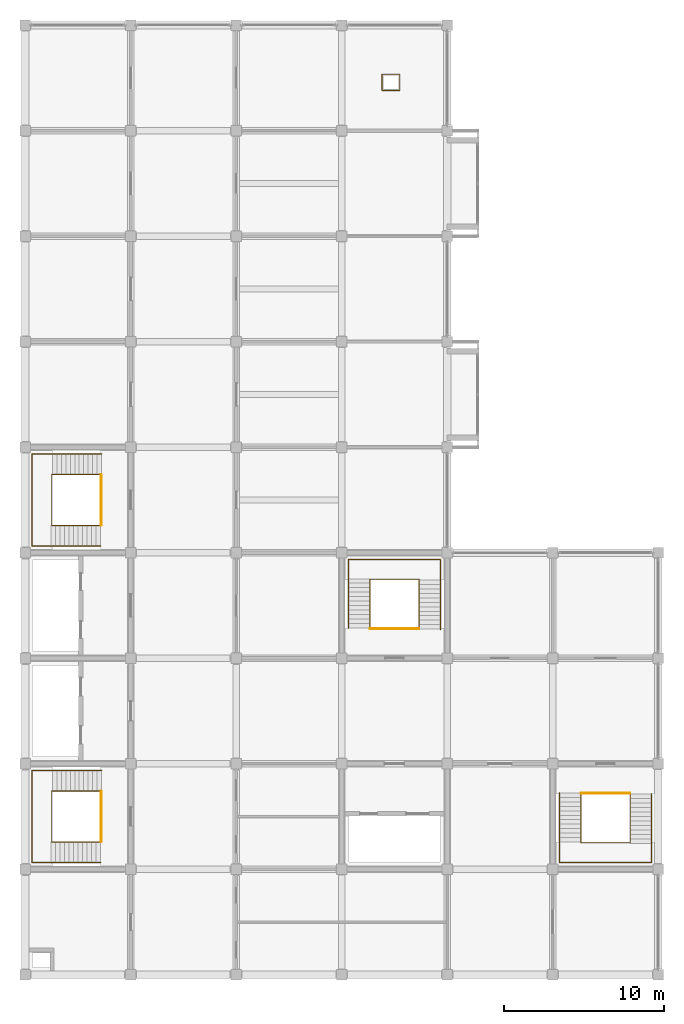
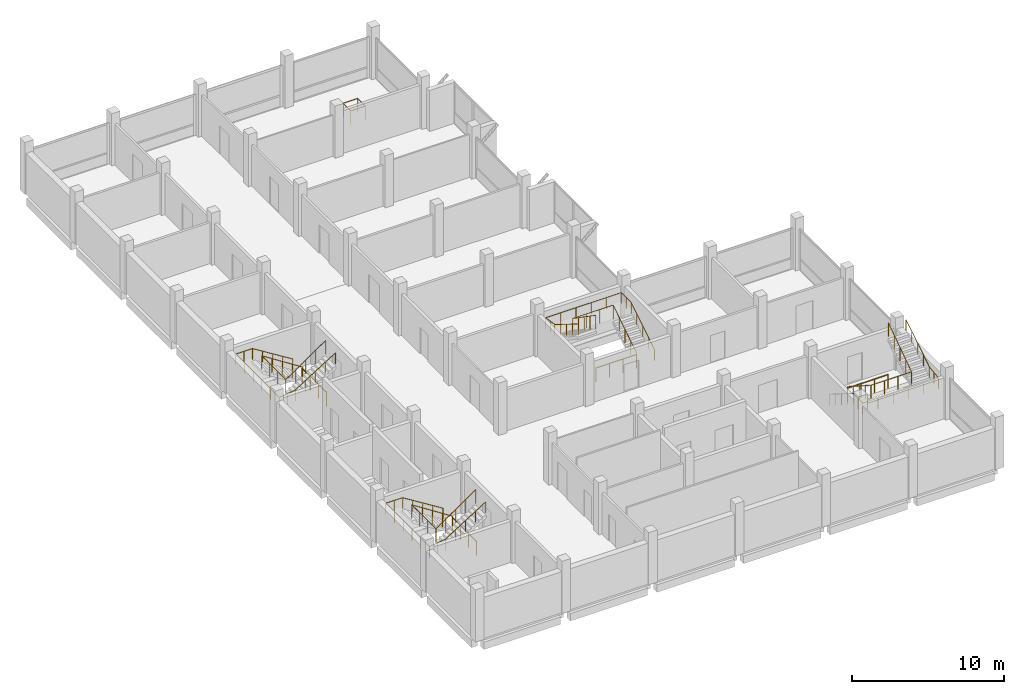
# One storey, part 10 of 10: 13 railings.
"""IFC4 building model written with IfcOpenShell, lengths in metres."""

from ifc_helpers import new_model, si_unit, direction, frame, origin, origin_2d, place, context, subcontext, project, spatial, circle, extrude, material, type_object, element, save


model = new_model("IFC4")

# Units and contexts
model_context = context("Model", 3, precision=1e-05, world=origin(), true_north=direction((0.0, 1.0)))
body_context = subcontext(model_context, "Body", "Model", "MODEL_VIEW")
ifc_project = project(units=[si_unit("LENGTHUNIT", "METRE"), si_unit("AREAUNIT", "SQUARE_METRE"), si_unit("VOLUMEUNIT", "CUBIC_METRE"), si_unit("PLANEANGLEUNIT", "RADIAN"), si_unit("MASSUNIT", "GRAM", prefix="KILO")], contexts=[model_context])

# Site, building, storey
site_placement = place(None, origin())
site = spatial("IfcSite", under=ifc_project, at=site_placement, CompositionType="ELEMENT")
building_placement = place(site_placement, origin())
building = spatial("IfcBuilding", under=site, at=building_placement, Name="Rusizi Kubbe Research Institute", CompositionType="ELEMENT")
storey_placement = place(building_placement, frame((0.0, 0.0, 52.199951171875)))
storey = spatial("IfcBuildingStorey", under=building, at=storey_placement, Name="L12", CompositionType="ELEMENT", Elevation=52.199951171875)

# Railings
ifc_material_1 = material(Name="Painted Steel Stair Guard", Category="steel")
railing_type_1 = type_object("IfcRailingType", Name="GR-STAIR", PredefinedType="GUARDRAIL", material=ifc_material_1)
railing_1_placement = place(storey_placement, frame((4.780029296875, 11.489990234375, 0.087646484375)))
element("IfcRailing", 1, at=railing_1_placement, inside=storey, type_object=railing_type_1, Name="Stair Inner Well Guard ST1 L12", PredefinedType="GUARDRAIL", context=body_context, shape_type="SweptSolid", body=[
    extrude(circle(Radius=0.02392578125, at=origin_2d()), frame((0.0, 0.0, 1.09619140625), z_axis=(-0.840361383606, 0.0, 0.542026516828), x_axis=(0.0, -1.0, 0.0)), (0.0, 0.0, 1.0), 3.712890625),
    extrude(circle(Radius=0.02392578125, at=origin_2d()), frame((-3.1201171875, 0.0, 3.1083984375), z_axis=(0.0, -1.0, 0.0), x_axis=(1.0, 0.0, 0.0)), (0.0, 0.0, 1.0), 3.179931640625),
    extrude(circle(Radius=0.02392578125, at=origin_2d()), frame((-3.1201171875, -3.179931640625, 3.1083984375), z_axis=(0.822798317177, 0.0, 0.568333466595), x_axis=(0.0, 1.0, 0.0)), (0.0, 0.0, 1.0), 3.69482421875),
    extrude(circle(Radius=0.02099609375, at=origin_2d()), origin(), (0.0, 0.0, 1.0), 1.072021484375),
    extrude(circle(Radius=0.02099609375, at=origin_2d()), frame((-0.780029296875, 0.0, 0.503173828125)), (0.0, 0.0, 1.0), 1.072021484375),
    extrude(circle(Radius=0.02099609375, at=origin_2d()), frame((-1.56005859375, 0.0, 1.00634765625)), (0.0, 0.0, 1.0), 1.072021484375),
    extrude(circle(Radius=0.02099609375, at=origin_2d()), frame((-2.340087890625, 0.0, 1.50927734375)), (0.0, 0.0, 1.0), 1.072021484375),
    extrude(circle(Radius=0.02099609375, at=origin_2d()), frame((-3.1201171875, 0.0, 2.012451171875)), (0.0, 0.0, 1.0), 1.072021484375),
    extrude(circle(Radius=0.02099609375, at=origin_2d()), frame((-3.1201171875, -1.06005859375, 2.012451171875)), (0.0, 0.0, 1.0), 1.072021484375),
    extrude(circle(Radius=0.02099609375, at=origin_2d()), frame((-3.1201171875, -2.119873046875, 2.012451171875)), (0.0, 0.0, 1.0), 1.072021484375),
    extrude(circle(Radius=0.02099609375, at=origin_2d()), frame((-3.1201171875, -3.179931640625, 2.012451171875)), (0.0, 0.0, 1.0), 1.072021484375),
    extrude(circle(Radius=0.02099609375, at=origin_2d()), frame((-2.360107421875, -3.179931640625, 2.537353515625)), (0.0, 0.0, 1.0), 1.072021484375),
    extrude(circle(Radius=0.02099609375, at=origin_2d()), frame((-1.60009765625, -3.179931640625, 3.0625)), (0.0, 0.0, 1.0), 1.072021484375),
    extrude(circle(Radius=0.02099609375, at=origin_2d()), frame((-0.840087890625, -3.179931640625, 3.58740234375)), (0.0, 0.0, 1.0), 1.072021484375),
    extrude(circle(Radius=0.02099609375, at=origin_2d()), frame((-0.080078125, -3.179931640625, 4.1123046875)), (0.0, 0.0, 1.0), 1.072021484375),
])
railing_2_placement = place(storey_placement, frame((4.75, 11.489990234375, 0.0)))
element("IfcRailing", 2, at=railing_2_placement, inside=storey, type_object=railing_type_1, Name="Stair Floor Edge Guard ST1 L12", PredefinedType="GUARDRAIL", context=body_context, shape_type="SweptSolid", body=[
    extrude(circle(Radius=0.02392578125, at=origin_2d()), frame((0.0, 0.0, 1.09619140625), z_axis=(0.0, -1.0, 0.0), x_axis=(1.0, 0.0, 0.0)), (0.0, 0.0, 1.0), 3.179931640625),
    extrude(circle(Radius=0.02099609375, at=origin_2d()), origin(), (0.0, 0.0, 1.0), 1.072021484375),
    extrude(circle(Radius=0.02099609375, at=origin_2d()), frame((0.0, -1.06005859375, 0.0)), (0.0, 0.0, 1.0), 1.072021484375),
    extrude(circle(Radius=0.02099609375, at=origin_2d()), frame((0.0, -2.119873046875, 0.0)), (0.0, 0.0, 1.0), 1.072021484375),
    extrude(circle(Radius=0.02099609375, at=origin_2d()), frame((0.0, -3.179931640625, 0.0)), (0.0, 0.0, 1.0), 1.072021484375),
])
railing_3_placement = place(storey_placement, frame((4.780029296875, 31.2900390625, 0.087646484375)))
element("IfcRailing", 3, at=railing_3_placement, inside=storey, type_object=railing_type_1, Name="Stair Inner Well Guard ST2 L12", PredefinedType="GUARDRAIL", context=body_context, shape_type="SweptSolid", body=[
    extrude(circle(Radius=0.02392578125, at=origin_2d()), frame((0.0, 0.0, 1.09619140625), z_axis=(-0.840361383606, 0.0, 0.542026516828), x_axis=(0.0, -1.0, 0.0)), (0.0, 0.0, 1.0), 3.712890625),
    extrude(circle(Radius=0.02392578125, at=origin_2d()), frame((-3.1201171875, 0.0, 3.1083984375), z_axis=(0.0, -1.0, 0.0), x_axis=(1.0, 0.0, 0.0)), (0.0, 0.0, 1.0), 3.179931640625),
    extrude(circle(Radius=0.02392578125, at=origin_2d()), frame((-3.1201171875, -3.179931640625, 3.1083984375), z_axis=(0.822798317177, 0.0, 0.568333466595), x_axis=(0.0, 1.0, 0.0)), (0.0, 0.0, 1.0), 3.69482421875),
    extrude(circle(Radius=0.02099609375, at=origin_2d()), origin(), (0.0, 0.0, 1.0), 1.072021484375),
    extrude(circle(Radius=0.02099609375, at=origin_2d()), frame((-0.780029296875, 0.0, 0.503173828125)), (0.0, 0.0, 1.0), 1.072021484375),
    extrude(circle(Radius=0.02099609375, at=origin_2d()), frame((-1.56005859375, 0.0, 1.00634765625)), (0.0, 0.0, 1.0), 1.072021484375),
    extrude(circle(Radius=0.02099609375, at=origin_2d()), frame((-2.340087890625, 0.0, 1.50927734375)), (0.0, 0.0, 1.0), 1.072021484375),
    extrude(circle(Radius=0.02099609375, at=origin_2d()), frame((-3.1201171875, 0.0, 2.012451171875)), (0.0, 0.0, 1.0), 1.072021484375),
    extrude(circle(Radius=0.02099609375, at=origin_2d()), frame((-3.1201171875, -1.06005859375, 2.012451171875)), (0.0, 0.0, 1.0), 1.072021484375),
    extrude(circle(Radius=0.02099609375, at=origin_2d()), frame((-3.1201171875, -2.119873046875, 2.012451171875)), (0.0, 0.0, 1.0), 1.072021484375),
    extrude(circle(Radius=0.02099609375, at=origin_2d()), frame((-3.1201171875, -3.179931640625, 2.012451171875)), (0.0, 0.0, 1.0), 1.072021484375),
    extrude(circle(Radius=0.02099609375, at=origin_2d()), frame((-2.360107421875, -3.179931640625, 2.537353515625)), (0.0, 0.0, 1.0), 1.072021484375),
    extrude(circle(Radius=0.02099609375, at=origin_2d()), frame((-1.60009765625, -3.179931640625, 3.0625)), (0.0, 0.0, 1.0), 1.072021484375),
    extrude(circle(Radius=0.02099609375, at=origin_2d()), frame((-0.840087890625, -3.179931640625, 3.58740234375)), (0.0, 0.0, 1.0), 1.072021484375),
    extrude(circle(Radius=0.02099609375, at=origin_2d()), frame((-0.080078125, -3.179931640625, 4.1123046875)), (0.0, 0.0, 1.0), 1.072021484375),
])
railing_4_placement = place(storey_placement, frame((4.75, 31.2900390625, 0.0)))
element("IfcRailing", 4, at=railing_4_placement, inside=storey, type_object=railing_type_1, Name="Stair Floor Edge Guard ST2 L12", PredefinedType="GUARDRAIL", context=body_context, shape_type="SweptSolid", body=[
    extrude(circle(Radius=0.02392578125, at=origin_2d()), frame((0.0, 0.0, 1.09619140625), z_axis=(0.0, -1.0, 0.0), x_axis=(1.0, 0.0, 0.0)), (0.0, 0.0, 1.0), 3.179931640625),
    extrude(circle(Radius=0.02099609375, at=origin_2d()), origin(), (0.0, 0.0, 1.0), 1.072021484375),
    extrude(circle(Radius=0.02099609375, at=origin_2d()), frame((0.0, -1.06005859375, 0.0)), (0.0, 0.0, 1.0), 1.072021484375),
    extrude(circle(Radius=0.02099609375, at=origin_2d()), frame((0.0, -2.119873046875, 0.0)), (0.0, 0.0, 1.0), 1.072021484375),
    extrude(circle(Radius=0.02099609375, at=origin_2d()), frame((0.0, -3.179931640625, 0.0)), (0.0, 0.0, 1.0), 1.072021484375),
])
railing_5_placement = place(storey_placement, frame((24.639892578125, 21.6201171875, 0.087646484375)))
element("IfcRailing", 5, at=railing_5_placement, inside=storey, type_object=railing_type_1, Name="Stair Inner Well Guard ST3 L12", PredefinedType="GUARDRAIL", context=body_context, shape_type="SweptSolid", body=[
    extrude(circle(Radius=0.02392578125, at=origin_2d()), frame((0.0, 0.0, 1.09619140625), z_axis=(0.0, 0.840342063375, 0.542056469865), x_axis=(-1.0, 0.0, 0.0)), (0.0, 0.0, 1.0), 3.712646484375),
    extrude(circle(Radius=0.02392578125, at=origin_2d()), frame((0.0, 3.119873046875, 3.1083984375), z_axis=(-1.0, 0.0, 0.0), x_axis=(0.0, -1.0, 0.0)), (0.0, 0.0, 1.0), 3.079833984375),
    extrude(circle(Radius=0.02392578125, at=origin_2d()), frame((-3.079833984375, 3.119873046875, 3.1083984375), z_axis=(0.0, -0.822798317177, 0.568333466595), x_axis=(1.0, 0.0, 0.0)), (0.0, 0.0, 1.0), 3.69482421875),
    extrude(circle(Radius=0.02099609375, at=origin_2d()), origin(), (0.0, 0.0, 1.0), 1.072021484375),
    extrude(circle(Radius=0.02099609375, at=origin_2d()), frame((0.0, 0.780029296875, 0.503173828125)), (0.0, 0.0, 1.0), 1.072021484375),
    extrude(circle(Radius=0.02099609375, at=origin_2d()), frame((0.0, 1.56005859375, 1.00634765625)), (0.0, 0.0, 1.0), 1.072021484375),
    extrude(circle(Radius=0.02099609375, at=origin_2d()), frame((0.0, 2.33984375, 1.50927734375)), (0.0, 0.0, 1.0), 1.072021484375),
    extrude(circle(Radius=0.02099609375, at=origin_2d()), frame((0.0, 3.119873046875, 2.012451171875)), (0.0, 0.0, 1.0), 1.072021484375),
    extrude(circle(Radius=0.02099609375, at=origin_2d()), frame((-1.026611328125, 3.119873046875, 2.012451171875)), (0.0, 0.0, 1.0), 1.072021484375),
    extrude(circle(Radius=0.02099609375, at=origin_2d()), frame((-2.05322265625, 3.119873046875, 2.012451171875)), (0.0, 0.0, 1.0), 1.072021484375),
    extrude(circle(Radius=0.02099609375, at=origin_2d()), frame((-3.079833984375, 3.119873046875, 2.012451171875)), (0.0, 0.0, 1.0), 1.072021484375),
    extrude(circle(Radius=0.02099609375, at=origin_2d()), frame((-3.079833984375, 2.35986328125, 2.537353515625)), (0.0, 0.0, 1.0), 1.072021484375),
    extrude(circle(Radius=0.02099609375, at=origin_2d()), frame((-3.079833984375, 1.599853515625, 3.0625)), (0.0, 0.0, 1.0), 1.072021484375),
    extrude(circle(Radius=0.02099609375, at=origin_2d()), frame((-3.079833984375, 0.83984375, 3.58740234375)), (0.0, 0.0, 1.0), 1.072021484375),
    extrude(circle(Radius=0.02099609375, at=origin_2d()), frame((-3.079833984375, 0.079833984375, 4.1123046875)), (0.0, 0.0, 1.0), 1.072021484375),
])
railing_6_placement = place(storey_placement, frame((24.639892578125, 21.64990234375, 0.0)))
element("IfcRailing", 6, at=railing_6_placement, inside=storey, type_object=railing_type_1, Name="Stair Floor Edge Guard ST3 L12", PredefinedType="GUARDRAIL", context=body_context, shape_type="SweptSolid", body=[
    extrude(circle(Radius=0.02392578125, at=origin_2d()), frame((0.0, 0.0, 1.09619140625), z_axis=(-1.0, 0.0, 0.0), x_axis=(0.0, -1.0, 0.0)), (0.0, 0.0, 1.0), 3.079833984375),
    extrude(circle(Radius=0.02099609375, at=origin_2d()), origin(), (0.0, 0.0, 1.0), 1.072021484375),
    extrude(circle(Radius=0.02099609375, at=origin_2d()), frame((-1.026611328125, 0.0, 0.0)), (0.0, 0.0, 1.0), 1.072021484375),
    extrude(circle(Radius=0.02099609375, at=origin_2d()), frame((-2.05322265625, 0.0, 0.0)), (0.0, 0.0, 1.0), 1.072021484375),
    extrude(circle(Radius=0.02099609375, at=origin_2d()), frame((-3.079833984375, 0.0, 0.0)), (0.0, 0.0, 1.0), 1.072021484375),
])
railing_7_placement = place(storey_placement, frame((34.760009765625, 11.3798828125, 0.087646484375)))
element("IfcRailing", 7, at=railing_7_placement, inside=storey, type_object=railing_type_1, Name="Stair Inner Well Guard ST4 L12", PredefinedType="GUARDRAIL", context=body_context, shape_type="SweptSolid", body=[
    extrude(circle(Radius=0.02392578125, at=origin_2d()), frame((0.0, 0.0, 1.09619140625), z_axis=(0.0, -0.840342063375, 0.542056469865), x_axis=(1.0, 0.0, 0.0)), (0.0, 0.0, 1.0), 3.712646484375),
    extrude(circle(Radius=0.02392578125, at=origin_2d()), frame((0.0, -3.119873046875, 3.1083984375), z_axis=(1.0, 0.0, 0.0), x_axis=(0.0, 1.0, 0.0)), (0.0, 0.0, 1.0), 3.080078125),
    extrude(circle(Radius=0.02392578125, at=origin_2d()), frame((3.080078125, -3.119873046875, 3.1083984375), z_axis=(0.0, 0.822798317177, 0.568333466595), x_axis=(-1.0, 0.0, 0.0)), (0.0, 0.0, 1.0), 3.69482421875),
    extrude(circle(Radius=0.02099609375, at=origin_2d()), origin(), (0.0, 0.0, 1.0), 1.072021484375),
    extrude(circle(Radius=0.02099609375, at=origin_2d()), frame((0.0, -0.780029296875, 0.503173828125)), (0.0, 0.0, 1.0), 1.072021484375),
    extrude(circle(Radius=0.02099609375, at=origin_2d()), frame((0.0, -1.56005859375, 1.00634765625)), (0.0, 0.0, 1.0), 1.072021484375),
    extrude(circle(Radius=0.02099609375, at=origin_2d()), frame((0.0, -2.33984375, 1.50927734375)), (0.0, 0.0, 1.0), 1.072021484375),
    extrude(circle(Radius=0.02099609375, at=origin_2d()), frame((0.0, -3.119873046875, 2.012451171875)), (0.0, 0.0, 1.0), 1.072021484375),
    extrude(circle(Radius=0.02099609375, at=origin_2d()), frame((1.026611328125, -3.119873046875, 2.012451171875)), (0.0, 0.0, 1.0), 1.072021484375),
    extrude(circle(Radius=0.02099609375, at=origin_2d()), frame((2.053466796875, -3.119873046875, 2.012451171875)), (0.0, 0.0, 1.0), 1.072021484375),
    extrude(circle(Radius=0.02099609375, at=origin_2d()), frame((3.080078125, -3.119873046875, 2.012451171875)), (0.0, 0.0, 1.0), 1.072021484375),
    extrude(circle(Radius=0.02099609375, at=origin_2d()), frame((3.080078125, -2.35986328125, 2.537353515625)), (0.0, 0.0, 1.0), 1.072021484375),
    extrude(circle(Radius=0.02099609375, at=origin_2d()), frame((3.080078125, -1.599853515625, 3.0625)), (0.0, 0.0, 1.0), 1.072021484375),
    extrude(circle(Radius=0.02099609375, at=origin_2d()), frame((3.080078125, -0.83984375, 3.58740234375)), (0.0, 0.0, 1.0), 1.072021484375),
    extrude(circle(Radius=0.02099609375, at=origin_2d()), frame((3.080078125, -0.079833984375, 4.1123046875)), (0.0, 0.0, 1.0), 1.072021484375),
])
railing_8_placement = place(storey_placement, frame((34.760009765625, 11.35009765625, 0.0)))
element("IfcRailing", 8, at=railing_8_placement, inside=storey, type_object=railing_type_1, Name="Stair Floor Edge Guard ST4 L12", PredefinedType="GUARDRAIL", context=body_context, shape_type="SweptSolid", body=[
    extrude(circle(Radius=0.02392578125, at=origin_2d()), frame((0.0, 0.0, 1.09619140625), z_axis=(1.0, 0.0, 0.0), x_axis=(0.0, 1.0, 0.0)), (0.0, 0.0, 1.0), 3.080078125),
    extrude(circle(Radius=0.02099609375, at=origin_2d()), origin(), (0.0, 0.0, 1.0), 1.072021484375),
    extrude(circle(Radius=0.02099609375, at=origin_2d()), frame((1.026611328125, 0.0, 0.0)), (0.0, 0.0, 1.0), 1.072021484375),
    extrude(circle(Radius=0.02099609375, at=origin_2d()), frame((2.053466796875, 0.0, 0.0)), (0.0, 0.0, 1.0), 1.072021484375),
    extrude(circle(Radius=0.02099609375, at=origin_2d()), frame((3.080078125, 0.0, 0.0)), (0.0, 0.0, 1.0), 1.072021484375),
])
railing_9_placement = place(storey_placement, frame((22.320068359375, 55.320068359375, 0.0)))
element("IfcRailing", 9, at=railing_9_placement, inside=storey, type_object=railing_type_1, Name="Service Riser Guard L12 NORTHA", PredefinedType="GUARDRAIL", context=body_context, shape_type="SweptSolid", body=[
    extrude(circle(Radius=0.02392578125, at=origin_2d()), frame((0.0, 0.0, 1.09619140625), z_axis=(1.0, 0.0, 0.0), x_axis=(0.0, 1.0, 0.0)), (0.0, 0.0, 1.0), 1.10986328125),
    extrude(circle(Radius=0.02392578125, at=origin_2d()), frame((1.10986328125, 0.0, 1.09619140625), z_axis=(0.0, 1.0, 0.0), x_axis=(-1.0, 0.0, 0.0)), (0.0, 0.0, 1.0), 1.010009765625),
    extrude(circle(Radius=0.02392578125, at=origin_2d()), frame((1.10986328125, 1.010009765625, 1.09619140625), z_axis=(-1.0, 0.0, 0.0), x_axis=(0.0, -1.0, 0.0)), (0.0, 0.0, 1.0), 1.10986328125),
    extrude(circle(Radius=0.02392578125, at=origin_2d()), frame((0.0, 1.010009765625, 1.09619140625), z_axis=(0.0, -1.0, 0.0), x_axis=(1.0, 0.0, 0.0)), (0.0, 0.0, 1.0), 1.010009765625),
    extrude(circle(Radius=0.02099609375, at=origin_2d()), origin(), (0.0, 0.0, 1.0), 1.072021484375),
    extrude(circle(Radius=0.02099609375, at=origin_2d()), frame((1.10986328125, 0.0, 0.0)), (0.0, 0.0, 1.0), 1.072021484375),
    extrude(circle(Radius=0.02099609375, at=origin_2d()), frame((1.10986328125, 1.010009765625, 0.0)), (0.0, 0.0, 1.0), 1.072021484375),
    extrude(circle(Radius=0.02099609375, at=origin_2d()), frame((0.0, 1.010009765625, 0.0)), (0.0, 0.0, 1.0), 1.072021484375),
])
ifc_material_2 = material(Name="Brushed Stainless Steel Handrail", Category="steel")
railing_type_2 = type_object("IfcRailingType", Name="HR-STAIR", PredefinedType="HANDRAIL", material=ifc_material_2)
railing_10_placement = place(storey_placement, frame((4.780029296875, 12.780029296875, 0.175048828125)))
element("IfcRailing", 10, at=railing_10_placement, inside=storey, type_object=railing_type_2, Name="Stair Wall Handrail ST1 L12", PredefinedType="HANDRAIL", context=body_context, shape_type="SweptSolid", body=[
    extrude(circle(Radius=0.02392578125, at=origin_2d()), frame((0.0, 0.0, 0.8759765625), z_axis=(-0.847998304005, 0.0, 0.529998940003), x_axis=(0.0, -1.0, 0.0)), (0.0, 0.0, 1.0), 3.632080078125),
    extrude(circle(Radius=0.02392578125, at=origin_2d()), frame((-3.080078125, 0.0, 2.80078125), z_axis=(-1.0, 0.0, 0.0), x_axis=(0.0, -1.0, 0.0)), (0.0, 0.0, 1.0), 1.280029296875),
    extrude(circle(Radius=0.02392578125, at=origin_2d()), frame((-4.360107421875, 0.0, 2.80078125), z_axis=(0.0, -1.0, 0.0), x_axis=(1.0, 0.0, 0.0)), (0.0, 0.0, 1.0), 5.760009765625),
    extrude(circle(Radius=0.02392578125, at=origin_2d()), frame((-4.360107421875, -5.760009765625, 2.80078125), z_axis=(0.989630492691, 0.0, 0.143636652482), x_axis=(0.0, 1.0, 0.0)), (0.0, 0.0, 1.0), 1.21875),
    extrude(circle(Radius=0.02392578125, at=origin_2d()), frame((-3.154052734375, -5.760009765625, 2.97607421875), z_axis=(0.847555548714, 0.0, 0.530706690974), x_axis=(0.0, 1.0, 0.0)), (0.0, 0.0, 1.0), 3.626953125),
    extrude(circle(Radius=0.02099609375, at=origin_2d()), origin(), (0.0, 0.0, 1.0), 0.851806640625),
    extrude(circle(Radius=0.02099609375, at=origin_2d()), frame((-0.77001953125, 0.0, 0.481201171875)), (0.0, 0.0, 1.0), 0.851806640625),
    extrude(circle(Radius=0.02099609375, at=origin_2d()), frame((-1.5400390625, 0.0, 0.96240234375)), (0.0, 0.0, 1.0), 0.851806640625),
    extrude(circle(Radius=0.02099609375, at=origin_2d()), frame((-2.31005859375, 0.0, 1.44384765625)), (0.0, 0.0, 1.0), 0.851806640625),
    extrude(circle(Radius=0.02099609375, at=origin_2d()), frame((-3.080078125, 0.0, 1.925048828125)), (0.0, 0.0, 1.0), 0.851806640625),
    extrude(circle(Radius=0.02099609375, at=origin_2d()), frame((-3.72021484375, 0.0, 1.925048828125)), (0.0, 0.0, 1.0), 0.851806640625),
    extrude(circle(Radius=0.02099609375, at=origin_2d()), frame((-4.360107421875, 0.0, 1.925048828125)), (0.0, 0.0, 1.0), 0.851806640625),
    extrude(circle(Radius=0.02099609375, at=origin_2d()), frame((-4.360107421875, -1.152099609375, 1.925048828125)), (0.0, 0.0, 1.0), 0.851806640625),
    extrude(circle(Radius=0.02099609375, at=origin_2d()), frame((-4.360107421875, -2.303955078125, 1.925048828125)), (0.0, 0.0, 1.0), 0.851806640625),
    extrude(circle(Radius=0.02099609375, at=origin_2d()), frame((-4.360107421875, -3.4560546875, 1.925048828125)), (0.0, 0.0, 1.0), 0.851806640625),
    extrude(circle(Radius=0.02099609375, at=origin_2d()), frame((-4.360107421875, -4.60791015625, 1.925048828125)), (0.0, 0.0, 1.0), 0.851806640625),
    extrude(circle(Radius=0.02099609375, at=origin_2d()), frame((-4.360107421875, -5.760009765625, 1.925048828125)), (0.0, 0.0, 1.0), 0.851806640625),
    extrude(circle(Radius=0.02099609375, at=origin_2d()), frame((-3.757080078125, -5.760009765625, 2.0126953125)), (0.0, 0.0, 1.0), 0.851806640625),
    extrude(circle(Radius=0.02099609375, at=origin_2d()), frame((-3.154052734375, -5.760009765625, 2.10009765625)), (0.0, 0.0, 1.0), 0.851806640625),
    extrude(circle(Radius=0.02099609375, at=origin_2d()), frame((-2.385498046875, -5.760009765625, 2.581298828125)), (0.0, 0.0, 1.0), 0.851806640625),
    extrude(circle(Radius=0.02099609375, at=origin_2d()), frame((-1.6171875, -5.760009765625, 3.0625)), (0.0, 0.0, 1.0), 0.851806640625),
    extrude(circle(Radius=0.02099609375, at=origin_2d()), frame((-0.8486328125, -5.760009765625, 3.543701171875)), (0.0, 0.0, 1.0), 0.851806640625),
    extrude(circle(Radius=0.02099609375, at=origin_2d()), frame((-0.080078125, -5.760009765625, 4.02490234375)), (0.0, 0.0, 1.0), 0.851806640625),
])
railing_11_placement = place(storey_placement, frame((4.780029296875, 32.580078125, 0.175048828125)))
element("IfcRailing", 11, at=railing_11_placement, inside=storey, type_object=railing_type_2, Name="Stair Wall Handrail ST2 L12", PredefinedType="HANDRAIL", context=body_context, shape_type="SweptSolid", body=[
    extrude(circle(Radius=0.02392578125, at=origin_2d()), frame((0.0, 0.0, 0.8759765625), z_axis=(-0.847998304005, 0.0, 0.529998940003), x_axis=(0.0, -1.0, 0.0)), (0.0, 0.0, 1.0), 3.632080078125),
    extrude(circle(Radius=0.02392578125, at=origin_2d()), frame((-3.080078125, 0.0, 2.80078125), z_axis=(-1.0, 0.0, 0.0), x_axis=(0.0, -1.0, 0.0)), (0.0, 0.0, 1.0), 1.280029296875),
    extrude(circle(Radius=0.02392578125, at=origin_2d()), frame((-4.360107421875, 0.0, 2.80078125), z_axis=(0.0, -1.0, 0.0), x_axis=(1.0, 0.0, 0.0)), (0.0, 0.0, 1.0), 5.760009765625),
    extrude(circle(Radius=0.02392578125, at=origin_2d()), frame((-4.360107421875, -5.760009765625, 2.80078125), z_axis=(0.989630492691, 0.0, 0.143636652482), x_axis=(0.0, 1.0, 0.0)), (0.0, 0.0, 1.0), 1.21875),
    extrude(circle(Radius=0.02392578125, at=origin_2d()), frame((-3.154052734375, -5.760009765625, 2.97607421875), z_axis=(0.847555548714, 0.0, 0.530706690974), x_axis=(0.0, 1.0, 0.0)), (0.0, 0.0, 1.0), 3.626953125),
    extrude(circle(Radius=0.02099609375, at=origin_2d()), origin(), (0.0, 0.0, 1.0), 0.851806640625),
    extrude(circle(Radius=0.02099609375, at=origin_2d()), frame((-0.77001953125, 0.0, 0.481201171875)), (0.0, 0.0, 1.0), 0.851806640625),
    extrude(circle(Radius=0.02099609375, at=origin_2d()), frame((-1.5400390625, 0.0, 0.96240234375)), (0.0, 0.0, 1.0), 0.851806640625),
    extrude(circle(Radius=0.02099609375, at=origin_2d()), frame((-2.31005859375, 0.0, 1.44384765625)), (0.0, 0.0, 1.0), 0.851806640625),
    extrude(circle(Radius=0.02099609375, at=origin_2d()), frame((-3.080078125, 0.0, 1.925048828125)), (0.0, 0.0, 1.0), 0.851806640625),
    extrude(circle(Radius=0.02099609375, at=origin_2d()), frame((-3.72021484375, 0.0, 1.925048828125)), (0.0, 0.0, 1.0), 0.851806640625),
    extrude(circle(Radius=0.02099609375, at=origin_2d()), frame((-4.360107421875, 0.0, 1.925048828125)), (0.0, 0.0, 1.0), 0.851806640625),
    extrude(circle(Radius=0.02099609375, at=origin_2d()), frame((-4.360107421875, -1.152099609375, 1.925048828125)), (0.0, 0.0, 1.0), 0.851806640625),
    extrude(circle(Radius=0.02099609375, at=origin_2d()), frame((-4.360107421875, -2.303955078125, 1.925048828125)), (0.0, 0.0, 1.0), 0.851806640625),
    extrude(circle(Radius=0.02099609375, at=origin_2d()), frame((-4.360107421875, -3.4560546875, 1.925048828125)), (0.0, 0.0, 1.0), 0.851806640625),
    extrude(circle(Radius=0.02099609375, at=origin_2d()), frame((-4.360107421875, -4.60791015625, 1.925048828125)), (0.0, 0.0, 1.0), 0.851806640625),
    extrude(circle(Radius=0.02099609375, at=origin_2d()), frame((-4.360107421875, -5.760009765625, 1.925048828125)), (0.0, 0.0, 1.0), 0.851806640625),
    extrude(circle(Radius=0.02099609375, at=origin_2d()), frame((-3.757080078125, -5.760009765625, 2.0126953125)), (0.0, 0.0, 1.0), 0.851806640625),
    extrude(circle(Radius=0.02099609375, at=origin_2d()), frame((-3.154052734375, -5.760009765625, 2.10009765625)), (0.0, 0.0, 1.0), 0.851806640625),
    extrude(circle(Radius=0.02099609375, at=origin_2d()), frame((-2.385498046875, -5.760009765625, 2.581298828125)), (0.0, 0.0, 1.0), 0.851806640625),
    extrude(circle(Radius=0.02099609375, at=origin_2d()), frame((-1.6171875, -5.760009765625, 3.0625)), (0.0, 0.0, 1.0), 0.851806640625),
    extrude(circle(Radius=0.02099609375, at=origin_2d()), frame((-0.8486328125, -5.760009765625, 3.543701171875)), (0.0, 0.0, 1.0), 0.851806640625),
    extrude(circle(Radius=0.02099609375, at=origin_2d()), frame((-0.080078125, -5.760009765625, 4.02490234375)), (0.0, 0.0, 1.0), 0.851806640625),
])
railing_12_placement = place(storey_placement, frame((25.97998046875, 21.6201171875, 0.175048828125)))
element("IfcRailing", 12, at=railing_12_placement, inside=storey, type_object=railing_type_2, Name="Stair Wall Handrail ST3 L12", PredefinedType="HANDRAIL", context=body_context, shape_type="SweptSolid", body=[
    extrude(circle(Radius=0.02392578125, at=origin_2d()), frame((0.0, 0.0, 0.8759765625), z_axis=(0.0, 0.847979421464, 0.530029150871), x_axis=(-1.0, 0.0, 0.0)), (0.0, 0.0, 1.0), 3.632080078125),
    extrude(circle(Radius=0.02392578125, at=origin_2d()), frame((0.0, 3.079833984375, 2.80078125), z_axis=(0.0, 1.0, 0.0), x_axis=(-1.0, 0.0, 0.0)), (0.0, 0.0, 1.0), 1.280029296875),
    extrude(circle(Radius=0.02392578125, at=origin_2d()), frame((0.0, 4.35986328125, 2.80078125), z_axis=(-1.0, 0.0, 0.0), x_axis=(0.0, -1.0, 0.0)), (0.0, 0.0, 1.0), 5.760009765625),
    extrude(circle(Radius=0.02392578125, at=origin_2d()), frame((-5.760009765625, 4.35986328125, 2.80078125), z_axis=(0.0, -0.989630492691, 0.143636652482), x_axis=(1.0, 0.0, 0.0)), (0.0, 0.0, 1.0), 1.21875),
    extrude(circle(Radius=0.02392578125, at=origin_2d()), frame((-5.760009765625, 3.15380859375, 2.97607421875), z_axis=(0.0, -0.847555548714, 0.530706690974), x_axis=(1.0, 0.0, 0.0)), (0.0, 0.0, 1.0), 3.626953125),
    extrude(circle(Radius=0.02099609375, at=origin_2d()), origin(), (0.0, 0.0, 1.0), 0.851806640625),
    extrude(circle(Radius=0.02099609375, at=origin_2d()), frame((0.0, 0.77001953125, 0.481201171875)), (0.0, 0.0, 1.0), 0.851806640625),
    extrude(circle(Radius=0.02099609375, at=origin_2d()), frame((0.0, 1.5400390625, 0.96240234375)), (0.0, 0.0, 1.0), 0.851806640625),
    extrude(circle(Radius=0.02099609375, at=origin_2d()), frame((0.0, 2.309814453125, 1.44384765625)), (0.0, 0.0, 1.0), 0.851806640625),
    extrude(circle(Radius=0.02099609375, at=origin_2d()), frame((0.0, 3.079833984375, 1.925048828125)), (0.0, 0.0, 1.0), 0.851806640625),
    extrude(circle(Radius=0.02099609375, at=origin_2d()), frame((0.0, 3.7197265625, 1.925048828125)), (0.0, 0.0, 1.0), 0.851806640625),
    extrude(circle(Radius=0.02099609375, at=origin_2d()), frame((0.0, 4.35986328125, 1.925048828125)), (0.0, 0.0, 1.0), 0.851806640625),
    extrude(circle(Radius=0.02099609375, at=origin_2d()), frame((-1.152099609375, 4.35986328125, 1.925048828125)), (0.0, 0.0, 1.0), 0.851806640625),
    extrude(circle(Radius=0.02099609375, at=origin_2d()), frame((-2.303955078125, 4.35986328125, 1.925048828125)), (0.0, 0.0, 1.0), 0.851806640625),
    extrude(circle(Radius=0.02099609375, at=origin_2d()), frame((-3.4560546875, 4.35986328125, 1.925048828125)), (0.0, 0.0, 1.0), 0.851806640625),
    extrude(circle(Radius=0.02099609375, at=origin_2d()), frame((-4.60791015625, 4.35986328125, 1.925048828125)), (0.0, 0.0, 1.0), 0.851806640625),
    extrude(circle(Radius=0.02099609375, at=origin_2d()), frame((-5.760009765625, 4.35986328125, 1.925048828125)), (0.0, 0.0, 1.0), 0.851806640625),
    extrude(circle(Radius=0.02099609375, at=origin_2d()), frame((-5.760009765625, 3.7568359375, 2.0126953125)), (0.0, 0.0, 1.0), 0.851806640625),
    extrude(circle(Radius=0.02099609375, at=origin_2d()), frame((-5.760009765625, 3.15380859375, 2.10009765625)), (0.0, 0.0, 1.0), 0.851806640625),
    extrude(circle(Radius=0.02099609375, at=origin_2d()), frame((-5.760009765625, 2.38525390625, 2.581298828125)), (0.0, 0.0, 1.0), 0.851806640625),
    extrude(circle(Radius=0.02099609375, at=origin_2d()), frame((-5.760009765625, 1.61669921875, 3.0625)), (0.0, 0.0, 1.0), 0.851806640625),
    extrude(circle(Radius=0.02099609375, at=origin_2d()), frame((-5.760009765625, 0.848388671875, 3.543701171875)), (0.0, 0.0, 1.0), 0.851806640625),
    extrude(circle(Radius=0.02099609375, at=origin_2d()), frame((-5.760009765625, 0.079833984375, 4.02490234375)), (0.0, 0.0, 1.0), 0.851806640625),
])
railing_13_placement = place(storey_placement, frame((33.419921875, 11.3798828125, 0.175048828125)))
element("IfcRailing", 13, at=railing_13_placement, inside=storey, type_object=railing_type_2, Name="Stair Wall Handrail ST4 L12", PredefinedType="HANDRAIL", context=body_context, shape_type="SweptSolid", body=[
    extrude(circle(Radius=0.02392578125, at=origin_2d()), frame((0.0, 0.0, 0.8759765625), z_axis=(0.0, -0.847979421464, 0.530029150871), x_axis=(1.0, 0.0, 0.0)), (0.0, 0.0, 1.0), 3.632080078125),
    extrude(circle(Radius=0.02392578125, at=origin_2d()), frame((0.0, -3.079833984375, 2.80078125), z_axis=(0.0, -1.0, 0.0), x_axis=(1.0, 0.0, 0.0)), (0.0, 0.0, 1.0), 1.280029296875),
    extrude(circle(Radius=0.02392578125, at=origin_2d()), frame((0.0, -4.35986328125, 2.80078125), z_axis=(1.0, 0.0, 0.0), x_axis=(0.0, 1.0, 0.0)), (0.0, 0.0, 1.0), 5.760009765625),
    extrude(circle(Radius=0.02392578125, at=origin_2d()), frame((5.760009765625, -4.35986328125, 2.80078125), z_axis=(0.0, 0.989630492691, 0.143636652482), x_axis=(-1.0, 0.0, 0.0)), (0.0, 0.0, 1.0), 1.21875),
    extrude(circle(Radius=0.02392578125, at=origin_2d()), frame((5.760009765625, -3.15380859375, 2.97607421875), z_axis=(0.0, 0.847555548714, 0.530706690974), x_axis=(-1.0, 0.0, 0.0)), (0.0, 0.0, 1.0), 3.626953125),
    extrude(circle(Radius=0.02099609375, at=origin_2d()), origin(), (0.0, 0.0, 1.0), 0.851806640625),
    extrude(circle(Radius=0.02099609375, at=origin_2d()), frame((0.0, -0.77001953125, 0.481201171875)), (0.0, 0.0, 1.0), 0.851806640625),
    extrude(circle(Radius=0.02099609375, at=origin_2d()), frame((0.0, -1.5400390625, 0.96240234375)), (0.0, 0.0, 1.0), 0.851806640625),
    extrude(circle(Radius=0.02099609375, at=origin_2d()), frame((0.0, -2.309814453125, 1.44384765625)), (0.0, 0.0, 1.0), 0.851806640625),
    extrude(circle(Radius=0.02099609375, at=origin_2d()), frame((0.0, -3.079833984375, 1.925048828125)), (0.0, 0.0, 1.0), 0.851806640625),
    extrude(circle(Radius=0.02099609375, at=origin_2d()), frame((0.0, -3.7197265625, 1.925048828125)), (0.0, 0.0, 1.0), 0.851806640625),
    extrude(circle(Radius=0.02099609375, at=origin_2d()), frame((0.0, -4.35986328125, 1.925048828125)), (0.0, 0.0, 1.0), 0.851806640625),
    extrude(circle(Radius=0.02099609375, at=origin_2d()), frame((1.152099609375, -4.35986328125, 1.925048828125)), (0.0, 0.0, 1.0), 0.851806640625),
    extrude(circle(Radius=0.02099609375, at=origin_2d()), frame((2.303955078125, -4.35986328125, 1.925048828125)), (0.0, 0.0, 1.0), 0.851806640625),
    extrude(circle(Radius=0.02099609375, at=origin_2d()), frame((3.4560546875, -4.35986328125, 1.925048828125)), (0.0, 0.0, 1.0), 0.851806640625),
    extrude(circle(Radius=0.02099609375, at=origin_2d()), frame((4.60791015625, -4.35986328125, 1.925048828125)), (0.0, 0.0, 1.0), 0.851806640625),
    extrude(circle(Radius=0.02099609375, at=origin_2d()), frame((5.760009765625, -4.35986328125, 1.925048828125)), (0.0, 0.0, 1.0), 0.851806640625),
    extrude(circle(Radius=0.02099609375, at=origin_2d()), frame((5.760009765625, -3.7568359375, 2.0126953125)), (0.0, 0.0, 1.0), 0.851806640625),
    extrude(circle(Radius=0.02099609375, at=origin_2d()), frame((5.760009765625, -3.15380859375, 2.10009765625)), (0.0, 0.0, 1.0), 0.851806640625),
    extrude(circle(Radius=0.02099609375, at=origin_2d()), frame((5.760009765625, -2.38525390625, 2.581298828125)), (0.0, 0.0, 1.0), 0.851806640625),
    extrude(circle(Radius=0.02099609375, at=origin_2d()), frame((5.760009765625, -1.61669921875, 3.0625)), (0.0, 0.0, 1.0), 0.851806640625),
    extrude(circle(Radius=0.02099609375, at=origin_2d()), frame((5.760009765625, -0.848388671875, 3.543701171875)), (0.0, 0.0, 1.0), 0.851806640625),
    extrude(circle(Radius=0.02099609375, at=origin_2d()), frame((5.760009765625, -0.079833984375, 4.02490234375)), (0.0, 0.0, 1.0), 0.851806640625),
])

save(model, "model.ifc")
